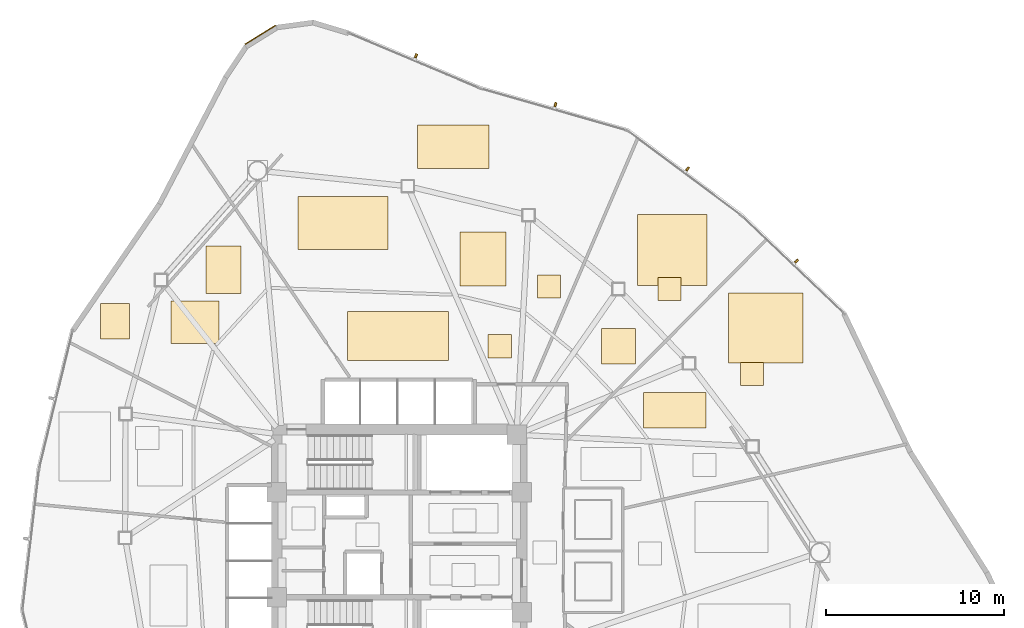
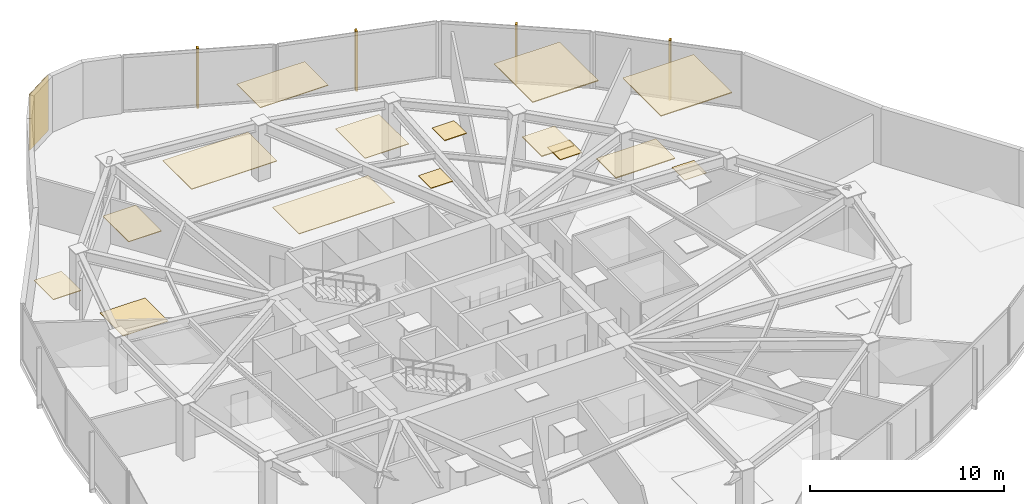
# One storey, part 17 of 17: 16 coverings, 4 shading devices.
"""IFC4 building model written with IfcOpenShell, lengths in metres."""

from ifc_helpers import new_model, si_unit, direction, frame, origin, origin_2d, place, context, subcontext, project, spatial, polyline, rectangle, outline, extrude, source, transform, mapped, material, layer, layer_set, type_object, type_shapes, element, save


model = new_model("IFC4")

# Units and contexts
model_context = context("Model", 3, precision=1e-05, world=origin(), true_north=direction((0.0, 1.0)))
body_context = subcontext(model_context, "Body", "Model", "MODEL_VIEW")
ifc_project = project(units=[si_unit("LENGTHUNIT", "METRE"), si_unit("AREAUNIT", "SQUARE_METRE"), si_unit("VOLUMEUNIT", "CUBIC_METRE"), si_unit("PLANEANGLEUNIT", "RADIAN"), si_unit("MASSUNIT", "GRAM", prefix="KILO")], contexts=[model_context])

# Site, building, storey
site_placement = place(None, origin())
site = spatial("IfcSite", under=ifc_project, at=site_placement, CompositionType="ELEMENT")
building_placement = place(site_placement, origin())
building = spatial("IfcBuilding", under=site, at=building_placement, Name="Tavelor Broadcast Tower", CompositionType="ELEMENT")
storey_placement = place(building_placement, frame((0.0, 0.0, 115.60009765625)))
storey = spatial("IfcBuildingStorey", under=building, at=storey_placement, Name="L26", CompositionType="ELEMENT", Elevation=115.60009765625)

# Coverings
ifc_material_1 = material(Name="Copper-Bronze Anodized Aluminium", Category="aluminium")
ifc_layer_1 = layer(ifc_material_1, 0.050048828125)
ifc_layer_set_1 = layer_set([ifc_layer_1], Name="Copper-Bronze Anodized Aluminium")
covering_type_1 = type_object("IfcCoveringType", Name="Champagne-Bronze Corner Pier Metal Cladding 50 mm", PredefinedType="CLADDING", material=ifc_layer_set_1)
covering_1_placement = place(storey_placement, frame((42.161865234375, 73.723388671875, 0.02001953125), z_axis=(0.0, 0.0, 1.0), x_axis=(-0.848510214982, -0.529179000974, 0.0)))
element("IfcCovering", 1, at=covering_1_placement, inside=storey, type_object=covering_type_1, Name="L26 Champagne-Bronze Corner Cladding 03", PredefinedType="CLADDING", context=body_context, shape_type="SweptSolid", body=[
    extrude(rectangle(XDim=2.01171875, YDim=0.050048828125, at=origin_2d()), origin(), (0.0, 0.0, 1.0), 3.510009765625),
])
ifc_material_2 = material(Name="Acoustic Nylon Carpet Tile")
ifc_layer_2 = layer(ifc_material_2, 0.02001953125)
ifc_layer_set_2 = layer_set([ifc_layer_2], Name="Acoustic Nylon Carpet Tile")
covering_type_2 = type_object("IfcCoveringType", Name="Heavy-Duty Acoustic Broadcast Carpet Tile 20 mm", PredefinedType="FLOORING", material=ifc_layer_set_2)
covering_2_placement = place(storey_placement, origin())
element("IfcCovering", 2, at=covering_2_placement, inside=storey, type_object=covering_type_2, Name="L26 Broadcast Floor Finish 0364", PredefinedType="FLOORING", context=body_context, shape_type="SweptSolid", body=[
    extrude(outline(polyline([(37.1484375, 56.330322265625), (39.836669921875, 56.330322265625), (39.836669921875, 58.734375), (37.1484375, 58.734375), (37.1484375, 56.330322265625)])), origin(), (0.0, 0.0, 1.0), 0.02001953125),
])
ifc_material_3 = material(Name="Acoustic Hardwood Studio Flooring", Category="wood")
ifc_layer_3 = layer(ifc_material_3, 0.034912109375)
ifc_layer_set_3 = layer_set([ifc_layer_3], Name="Acoustic Hardwood Studio Flooring")
covering_type_3 = type_object("IfcCoveringType", Name="Isolated Studio Acoustic Elastomeric Floor Finish 35 mm", PredefinedType="FLOORING", material=ifc_layer_set_3)
covering_3_placement = place(storey_placement, origin())
element("IfcCovering", 3, at=covering_3_placement, inside=storey, type_object=covering_type_3, Name="L26 Broadcast Floor Finish 0357", PredefinedType="FLOORING", context=body_context, shape_type="SweptSolid", body=[
    extrude(outline(polyline([(69.211181640625, 53.981689453125), (70.510986328125, 53.981689453125), (70.510986328125, 55.28173828125), (69.211181640625, 55.28173828125), (69.211181640625, 53.981689453125)])), origin(), (0.0, 0.0, 1.0), 0.034912109375),
])
covering_4_placement = place(storey_placement, origin())
element("IfcCovering", 4, at=covering_4_placement, inside=storey, type_object=covering_type_3, Name="L26 Broadcast Floor Finish 0365", PredefinedType="FLOORING", context=body_context, shape_type="SweptSolid", body=[
    extrude(outline(polyline([(64.566650390625, 58.76904296875), (65.86669921875, 58.76904296875), (65.86669921875, 60.069091796875), (64.566650390625, 60.069091796875), (64.566650390625, 58.76904296875)])), origin(), (0.0, 0.0, 1.0), 0.034912109375),
])
ifc_material_4 = material(Name="Acoustic Perforated Timber Baffle", Category="wood")
ifc_layer_4 = layer(ifc_material_4, 0.054931640625)
ifc_layer_set_4 = layer_set([ifc_layer_4], Name="Acoustic Perforated Timber Baffle")
covering_type_4 = type_object("IfcCoveringType", Name="Micro-Perforated Acoustic Baffle Studio Ceiling 55 mm", PredefinedType="CEILING", material=ifc_layer_set_4)
covering_5_placement = place(storey_placement, frame((0.0, 0.0, 3.494873046875)))
element("IfcCovering", 5, at=covering_5_placement, inside=storey, type_object=covering_type_4, Name="L26 Suspended Acoustic Ceiling 1013", PredefinedType="CEILING", context=body_context, shape_type="SweptSolid", body=[
    extrude(outline(polyline([(68.525390625, 55.2421875), (72.7470703125, 55.2421875), (72.7470703125, 59.173583984375), (68.525390625, 59.173583984375), (68.525390625, 55.2421875)])), origin(), (0.0, 0.0, 1.0), 0.054931640625),
])
covering_6_placement = place(storey_placement, frame((0.0, 0.0, 3.494873046875)))
element("IfcCovering", 6, at=covering_6_placement, inside=storey, type_object=covering_type_4, Name="L26 Suspended Acoustic Ceiling 1014", PredefinedType="CEILING", context=body_context, shape_type="SweptSolid", body=[
    extrude(outline(polyline([(63.73876953125, 51.58544921875), (67.26220703125, 51.58544921875), (67.26220703125, 53.59423828125), (63.73876953125, 53.59423828125), (63.73876953125, 51.58544921875)])), origin(), (0.0, 0.0, 1.0), 0.054931640625),
])
covering_7_placement = place(storey_placement, frame((0.0, 0.0, 3.494873046875)))
element("IfcCovering", 7, at=covering_7_placement, inside=storey, type_object=covering_type_4, Name="L26 Suspended Acoustic Ceiling 1046", PredefinedType="CEILING", context=body_context, shape_type="SweptSolid", body=[
    extrude(outline(polyline([(63.419921875, 59.619384765625), (67.323974609375, 59.619384765625), (67.323974609375, 63.6044921875), (63.419921875, 63.6044921875), (63.419921875, 59.619384765625)])), origin(), (0.0, 0.0, 1.0), 0.054931640625),
])
covering_8_placement = place(storey_placement, frame((0.0, 0.0, 3.494873046875)))
element("IfcCovering", 8, at=covering_8_placement, inside=storey, type_object=covering_type_4, Name="L26 Suspended Acoustic Ceiling 1047", PredefinedType="CEILING", context=body_context, shape_type="SweptSolid", body=[
    extrude(outline(polyline([(61.393310546875, 55.177734375), (63.314208984375, 55.177734375), (63.314208984375, 57.1953125), (61.393310546875, 57.1953125), (61.393310546875, 55.177734375)])), origin(), (0.0, 0.0, 1.0), 0.054931640625),
])
ifc_material_5 = material(Name="Acoustic Mineral Fibre Tile")
ifc_layer_5 = layer(ifc_material_5, 0.0400390625)
ifc_layer_set_5 = layer_set([ifc_layer_5], Name="Acoustic Mineral Fibre Tile")
covering_type_5 = type_object("IfcCoveringType", Name="Suspended Acoustic Mineral-Fibre Office Ceiling 40 mm", PredefinedType="CEILING", material=ifc_layer_set_5)
covering_9_placement = place(storey_placement, frame((0.0, 0.0, 3.510009765625)))
element("IfcCovering", 9, at=covering_9_placement, inside=storey, type_object=covering_type_5, Name="L26 Suspended Acoustic Ceiling 1038", PredefinedType="CEILING", context=body_context, shape_type="SweptSolid", body=[
    extrude(outline(polyline([(33.157470703125, 56.60400390625), (34.794677734375, 56.60400390625), (34.794677734375, 58.60693359375), (33.157470703125, 58.60693359375), (33.157470703125, 56.60400390625)])), origin(), (0.0, 0.0, 1.0), 0.039794921875),
])
covering_10_placement = place(storey_placement, frame((0.0, 0.0, 3.510009765625)))
element("IfcCovering", 10, at=covering_10_placement, inside=storey, type_object=covering_type_5, Name="L26 Suspended Acoustic Ceiling 1039", PredefinedType="CEILING", context=body_context, shape_type="SweptSolid", body=[
    extrude(outline(polyline([(39.114990234375, 59.166015625), (41.069091796875, 59.166015625), (41.069091796875, 61.83203125), (39.114990234375, 61.83203125), (39.114990234375, 59.166015625)])), origin(), (0.0, 0.0, 1.0), 0.039794921875),
])
covering_11_placement = place(storey_placement, frame((0.0, 0.0, 3.510009765625)))
element("IfcCovering", 11, at=covering_11_placement, inside=storey, type_object=covering_type_5, Name="L26 Suspended Acoustic Ceiling 1040", PredefinedType="CEILING", context=body_context, shape_type="SweptSolid", body=[
    extrude(outline(polyline([(51.01806640625, 66.20654296875), (55.060302734375, 66.20654296875), (55.060302734375, 68.649169921875), (51.01806640625, 68.649169921875), (51.01806640625, 66.20654296875)])), origin(), (0.0, 0.0, 1.0), 0.039794921875),
])
covering_12_placement = place(storey_placement, frame((0.0, 0.0, 3.510009765625)))
element("IfcCovering", 12, at=covering_12_placement, inside=storey, type_object=covering_type_5, Name="L26 Suspended Acoustic Ceiling 1041", PredefinedType="CEILING", context=body_context, shape_type="SweptSolid", body=[
    extrude(outline(polyline([(57.77490234375, 58.8994140625), (59.07470703125, 58.8994140625), (59.07470703125, 60.19921875), (57.77490234375, 60.19921875), (57.77490234375, 58.8994140625)])), origin(), (0.0, 0.0, 1.0), 0.039794921875),
])
covering_13_placement = place(storey_placement, frame((0.0, 0.0, 3.510009765625)))
element("IfcCovering", 13, at=covering_13_placement, inside=storey, type_object=covering_type_5, Name="L26 Suspended Acoustic Ceiling 1042", PredefinedType="CEILING", context=body_context, shape_type="SweptSolid", body=[
    extrude(outline(polyline([(55.005126953125, 55.534912109375), (56.30517578125, 55.534912109375), (56.30517578125, 56.834716796875), (55.005126953125, 56.834716796875), (55.005126953125, 55.534912109375)])), origin(), (0.0, 0.0, 1.0), 0.039794921875),
])
covering_14_placement = place(storey_placement, frame((0.0, 0.0, 3.510009765625)))
element("IfcCovering", 14, at=covering_14_placement, inside=storey, type_object=covering_type_5, Name="L26 Suspended Acoustic Ceiling 1043", PredefinedType="CEILING", context=body_context, shape_type="SweptSolid", body=[
    extrude(outline(polyline([(47.07275390625, 55.38427734375), (52.775146484375, 55.38427734375), (52.775146484375, 58.151611328125), (47.07275390625, 58.151611328125), (47.07275390625, 55.38427734375)])), origin(), (0.0, 0.0, 1.0), 0.039794921875),
])
covering_15_placement = place(storey_placement, frame((0.0, 0.0, 3.510009765625)))
element("IfcCovering", 15, at=covering_15_placement, inside=storey, type_object=covering_type_5, Name="L26 Suspended Acoustic Ceiling 1044", PredefinedType="CEILING", context=body_context, shape_type="SweptSolid", body=[
    extrude(outline(polyline([(44.285888671875, 61.631591796875), (49.3642578125, 61.631591796875), (49.3642578125, 64.618896484375), (44.285888671875, 64.618896484375), (44.285888671875, 61.631591796875)])), origin(), (0.0, 0.0, 1.0), 0.039794921875),
])
covering_16_placement = place(storey_placement, frame((0.0, 0.0, 3.510009765625)))
element("IfcCovering", 16, at=covering_16_placement, inside=storey, type_object=covering_type_5, Name="L26 Suspended Acoustic Ceiling 1045", PredefinedType="CEILING", context=body_context, shape_type="SweptSolid", body=[
    extrude(outline(polyline([(53.413818359375, 59.5693359375), (56.014404296875, 59.5693359375), (56.014404296875, 62.63037109375), (53.413818359375, 62.63037109375), (53.413818359375, 59.5693359375)])), origin(), (0.0, 0.0, 1.0), 0.039794921875),
])

# Shading devices
ifc_material_6 = material(Name="Kiln-Fired Glazed Terracotta", Category="masonry")
shading_device_type = type_object("IfcShadingDeviceType", Name="Extruded Terracotta Baguette Sun-Screen 110x240", PredefinedType="JALOUSIE", material=ifc_material_6)
shared_shape = source(origin(), body_context, "Body", "SweptSolid", [
    extrude(rectangle(XDim=0.110107421875, YDim=0.239990234375, at=origin_2d()), origin(), (0.0, 0.0, 1.0), 3.7900390625),
])
type_shapes(shading_device_type, [shared_shape])
for number, where, z_axis, x_axis, name in (
    (17, (72.37451171875, 60.98681640625, -0.260009765625), (0.0, 0.0, 1.0), (-0.723328791975, 0.690503771677, 0.0), "L26 Terracotta Baguette Fin 249"),
    (18, (66.231689453125, 66.177734375, -0.260009765625), (0.0, 0.0, 1.0), (-0.801566984871, 0.597904983058, 0.0), "L26 Terracotta Baguette Fin 250"),
    (19, (58.792724609375, 69.80029296875, -0.260009765625), (0.0, 0.0, 1.0), (-0.961309789091, 0.275469579804, 0.0), "L26 Terracotta Baguette Fin 251"),
    (20, (50.940185546875, 72.546630859375, -0.260009765625), (0.0, 0.0, 1.0), (-0.92172782697, 0.387837353782, 0.0), "L26 Terracotta Baguette Fin 252"),
):
    element("IfcShadingDevice", number, at=place(storey_placement, frame(where, z_axis=z_axis, x_axis=x_axis)), inside=storey, type_object=shading_device_type, Name=name, PredefinedType="JALOUSIE", context=body_context, shape_type="MappedRepresentation", body=[
        mapped(shared_shape, transform((0.0, 0.0, 0.0), scale=1.0)),
    ])

save(model, "model.ifc")
